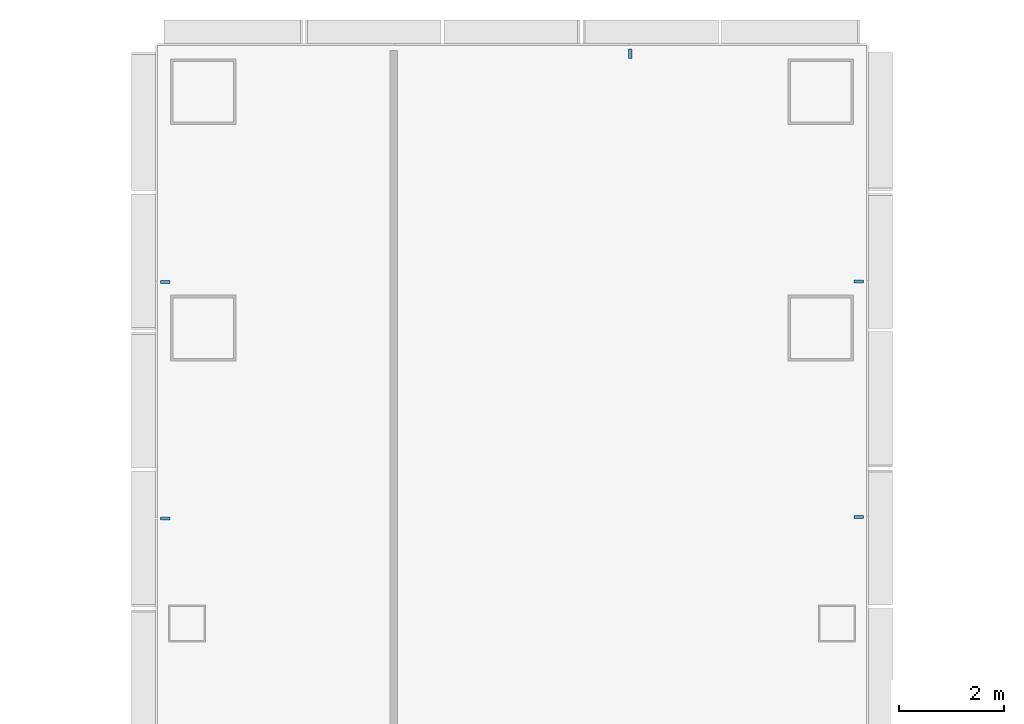
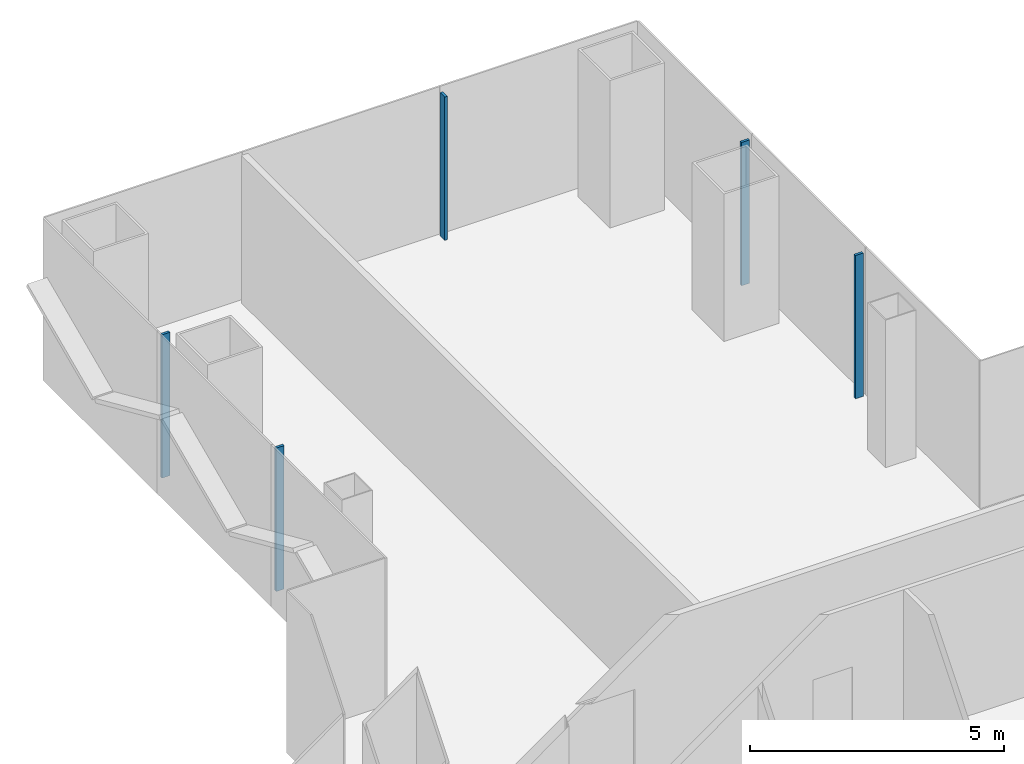
# One storey, part 8 of 20: 5 members, 3 elements without a shape of their own.
"""IFC4 building model written with IfcOpenShell, lengths in metres."""

from ifc_helpers import new_model, si_unit, direction, frame, origin, origin_2d, place, context, subcontext, project, spatial, rectangle, extrude, material, layer, layer_set, material_profile, profile_set, type_object, element, aggregate, save


model = new_model("IFC4")

# Units and contexts
model_context = context("Model", 3, precision=1e-05, world=origin(), true_north=direction((0.0, 1.0)))
body_context = subcontext(model_context, "Body", "Model", "MODEL_VIEW")
ifc_project = project(units=[si_unit("LENGTHUNIT", "METRE"), si_unit("AREAUNIT", "SQUARE_METRE"), si_unit("VOLUMEUNIT", "CUBIC_METRE"), si_unit("PLANEANGLEUNIT", "RADIAN"), si_unit("MASSUNIT", "GRAM", prefix="KILO")], contexts=[model_context])

# Site, building, storey
site_placement = place(None, origin())
site = spatial("IfcSite", under=ifc_project, at=site_placement, CompositionType="ELEMENT")
building_placement = place(site_placement, origin())
building = spatial("IfcBuilding", under=site, at=building_placement, Name="Shamsa Quay Exchange Towers", CompositionType="ELEMENT")
storey_placement = place(building_placement, frame((0.0, 0.0, 105.300048828125)))
storey = spatial("IfcBuildingStorey", under=building, at=storey_placement, Name="L24", CompositionType="ELEMENT", Elevation=105.300048828125)

# Curtain wall, members
ifc_material = material(Name="Aluminium EN AW-6063 T6, black anodised", Category="aluminium")
ifc_layer = layer(ifc_material, 0.280029296875)
ifc_layer_set = layer_set([ifc_layer], Name="CW-1 UNITISED VISION GLASS")
curtain_wall_type = type_object("IfcCurtainWallType", Name="CW-1 UNITISED VISION GLASS", PredefinedType="NOTDEFINED", material=ifc_layer_set)
curtain_wall_1_placement = place(storey_placement, origin())
curtain_wall_1 = element("IfcCurtainWall", 1, at=curtain_wall_1_placement, inside=storey, type_object=curtain_wall_type, Name="CW1 T2-FLK-U+S L24", PredefinedType="NOTDEFINED")
ifc_material_profile = material_profile(ifc_material, rectangle(XDim=0.179931640625, YDim=0.06005859375, at=origin_2d()), Name="MU60x180")
ifc_profile_set = profile_set([ifc_material_profile], Name="Aluminium EN AW-6063 T6, black anodised")
member_type = type_object("IfcMemberType", Name="CW1 MULLION 60x180", PredefinedType="MULLION", material=ifc_profile_set)
member_1_placement = place(storey_placement, frame((40.35009765625, 15.775390625, 0.0), z_axis=(0.0, 0.0, 1.0), x_axis=(-1.0, 0.0, 0.0)))
member_1 = element("IfcMember", 2, at=member_1_placement, type_object=member_type, Name="CW1 mullion", PredefinedType="MULLION", context=body_context, shape_type="SweptSolid", body=[
    extrude(rectangle(XDim=0.179931640625, YDim=0.06005859375, at=origin_2d()), origin(), (0.0, 0.0, 1.0), 3.449951171875),
])
member_2_placement = place(storey_placement, frame((40.35009765625, 20.2626953125, 0.0), z_axis=(0.0, 0.0, 1.0), x_axis=(-1.0, 0.0, 0.0)))
member_2 = element("IfcMember", 3, at=member_2_placement, type_object=member_type, Name="CW1 mullion", PredefinedType="MULLION", context=body_context, shape_type="SweptSolid", body=[
    extrude(rectangle(XDim=0.179931640625, YDim=0.06005859375, at=origin_2d()), origin(), (0.0, 0.0, 1.0), 3.449951171875),
])
aggregate(curtain_wall_1, [member_1, member_2])

# Curtain wall, member
curtain_wall_2_placement = place(storey_placement, origin())
curtain_wall_2 = element("IfcCurtainWall", 4, at=curtain_wall_2_placement, inside=storey, type_object=curtain_wall_type, Name="CW1 T2-END-U+ L24", PredefinedType="NOTDEFINED")
member_3_placement = place(storey_placement, frame((36.0, 24.60009765625, 0.0), z_axis=(0.0, 0.0, 1.0), x_axis=(0.0, -1.0, 0.0)))
member_3 = element("IfcMember", 5, at=member_3_placement, type_object=member_type, Name="CW1 mullion", PredefinedType="MULLION", context=body_context, shape_type="SweptSolid", body=[
    extrude(rectangle(XDim=0.179931640625, YDim=0.06005859375, at=origin_2d()), origin(), (0.0, 0.0, 1.0), 3.449951171875),
])
aggregate(curtain_wall_2, [member_3])

# Curtain wall, members
curtain_wall_3_placement = place(storey_placement, origin())
curtain_wall_3 = element("IfcCurtainWall", 6, at=curtain_wall_3_placement, inside=storey, type_object=curtain_wall_type, Name="CW1 T2-FLK-U+N L24", PredefinedType="NOTDEFINED")
member_4_placement = place(storey_placement, frame((27.14990234375, 20.25, 0.0)))
member_4 = element("IfcMember", 7, at=member_4_placement, type_object=member_type, Name="CW1 mullion", PredefinedType="MULLION", context=body_context, shape_type="SweptSolid", body=[
    extrude(rectangle(XDim=0.179931640625, YDim=0.06005859375, at=origin_2d()), origin(), (0.0, 0.0, 1.0), 3.449951171875),
])
member_5_placement = place(storey_placement, frame((27.14990234375, 15.75, 0.0)))
member_5 = element("IfcMember", 8, at=member_5_placement, type_object=member_type, Name="CW1 mullion", PredefinedType="MULLION", context=body_context, shape_type="SweptSolid", body=[
    extrude(rectangle(XDim=0.179931640625, YDim=0.06005859375, at=origin_2d()), origin(), (0.0, 0.0, 1.0), 3.449951171875),
])
aggregate(curtain_wall_3, [member_4, member_5])

save(model, "model.ifc")
